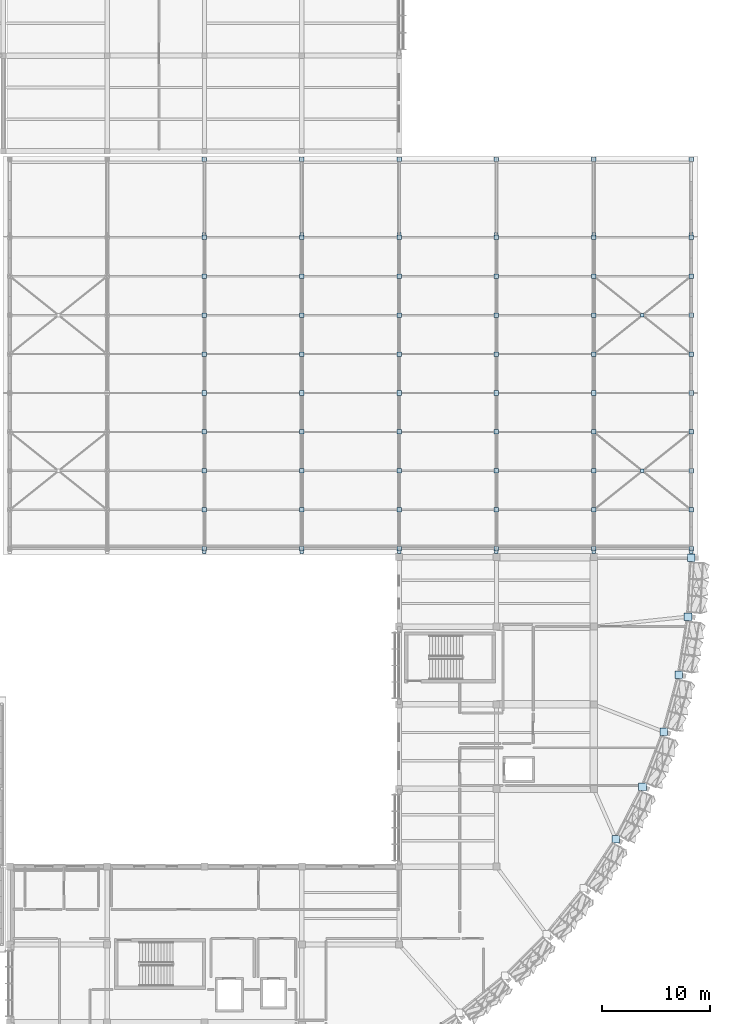
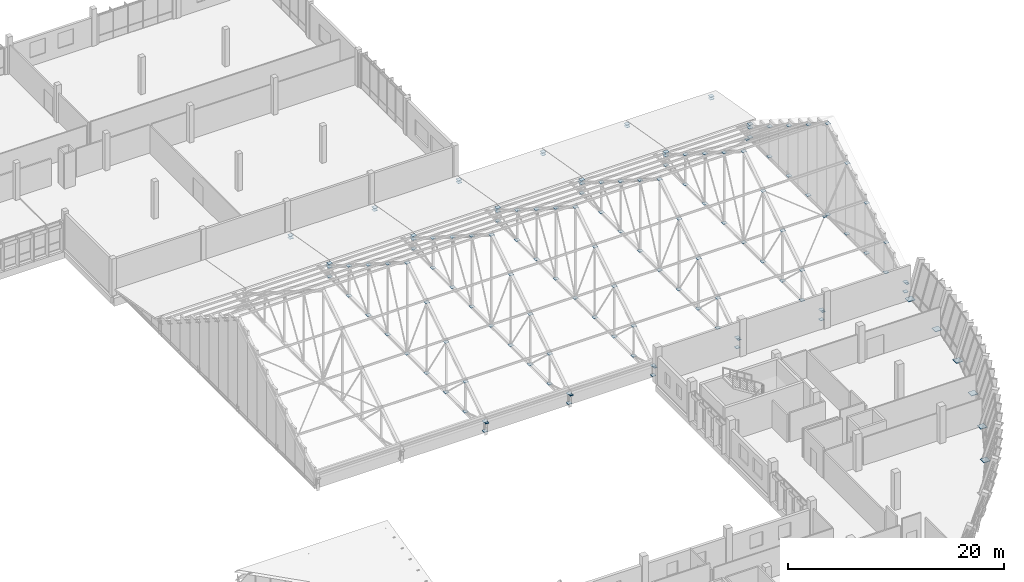
# One storey, part 159 of 182: 146 plates.
"""IFC4 building model written with IfcOpenShell, lengths in metres."""

from ifc_helpers import new_model, si_unit, direction, frame, origin, origin_2d, place, context, subcontext, project, spatial, rectangle, extrude, material, layer, layer_set, type_object, element, save


model = new_model("IFC4")

# Units and contexts
model_context = context("Model", 3, precision=1e-05, world=origin(), true_north=direction((0.0, 1.0)))
body_context = subcontext(model_context, "Body", "Model", "MODEL_VIEW")
ifc_project = project(units=[si_unit("LENGTHUNIT", "METRE"), si_unit("AREAUNIT", "SQUARE_METRE"), si_unit("VOLUMEUNIT", "CUBIC_METRE"), si_unit("PLANEANGLEUNIT", "RADIAN"), si_unit("MASSUNIT", "GRAM", prefix="KILO")], contexts=[model_context])

# Site, building, storey
site_placement = place(None, origin())
site = spatial("IfcSite", under=ifc_project, at=site_placement, CompositionType="ELEMENT")
building_placement = place(site_placement, origin())
building = spatial("IfcBuilding", under=site, at=building_placement, Name="Chiffa Square Polytechnic", CompositionType="ELEMENT")
storey_placement = place(building_placement, frame((0.0, 0.0, 9.60009765625)))
storey = spatial("IfcBuildingStorey", under=building, at=storey_placement, Name="L02", CompositionType="ELEMENT", Elevation=9.60009765625)

# Plates
ifc_material = material(Name="Steel S355", Category="steel")
ifc_layer_1 = layer(ifc_material, 0.028076171875, Name="Steel S355")
ifc_layer_set_1 = layer_set([ifc_layer_1], Name="Steel S355")
plate_type_1 = type_object("IfcPlateType", Name="PLT-GUSSET-28", PredefinedType="USERDEFINED", material=ifc_layer_set_1)
for number, where, z_axis, x_axis, name in (
    (1, (170.699951171875, 65.39990234375, 6.03564453125), (0.0, 0.0, 1.0), (1.0, 0.0, 0.0), "Steel connection gusset plate GP-L02-216"),
    (2, (170.699951171875, 79.800048828125, 6.03564453125), (0.0, 0.0, 1.0), (1.0, 0.0, 0.0), "Steel connection gusset plate GP-L02-217"),
    (3, (130.199951171875, 57.89990234375, 1.43603515625), (0.0, 0.0, 1.0), (1.0, 0.0, 0.0), "Steel connection gusset plate GP-L02-238"),
    (4, (130.199951171875, 87.300048828125, 1.43603515625), (0.0, 0.0, 1.0), (1.0, 0.0, 0.0), "Steel connection gusset plate GP-L02-239"),
    (5, (139.199951171875, 57.89990234375, 1.43603515625), (0.0, 0.0, 1.0), (1.0, 0.0, 0.0), "Steel connection gusset plate GP-L02-240"),
    (6, (139.199951171875, 87.300048828125, 1.43603515625), (0.0, 0.0, 1.0), (1.0, 0.0, 0.0), "Steel connection gusset plate GP-L02-241"),
    (7, (148.199951171875, 57.89990234375, 1.43603515625), (0.0, 0.0, 1.0), (1.0, 0.0, 0.0), "Steel connection gusset plate GP-L02-242"),
    (8, (148.199951171875, 87.300048828125, 1.43603515625), (0.0, 0.0, 1.0), (1.0, 0.0, 0.0), "Steel connection gusset plate GP-L02-243"),
    (9, (157.199951171875, 57.89990234375, 1.43603515625), (0.0, 0.0, 1.0), (1.0, 0.0, 0.0), "Steel connection gusset plate GP-L02-244"),
    (10, (157.199951171875, 87.300048828125, 1.43603515625), (0.0, 0.0, 1.0), (1.0, 0.0, 0.0), "Steel connection gusset plate GP-L02-245"),
    (11, (166.199951171875, 57.89990234375, 1.43603515625), (0.0, 0.0, 1.0), (1.0, 0.0, 0.0), "Steel connection gusset plate GP-L02-246"),
    (12, (166.199951171875, 87.300048828125, 1.43603515625), (0.0, 0.0, 1.0), (1.0, 0.0, 0.0), "Steel connection gusset plate GP-L02-247"),
    (13, (175.199951171875, 57.89990234375, 1.43603515625), (0.0, 0.0, 1.0), (1.0, 0.0, 0.0), "Steel connection gusset plate GP-L02-248"),
    (14, (175.199951171875, 87.300048828125, 1.43603515625), (0.0, 0.0, 1.0), (1.0, 0.0, 0.0), "Steel connection gusset plate GP-L02-249"),
):
    element("IfcPlate", number, at=place(storey_placement, frame(where, z_axis=z_axis, x_axis=x_axis)), inside=storey, type_object=plate_type_1, Name=name, ObjectType="GUSSET PLATE", PredefinedType="USERDEFINED", context=body_context, shape_type="SweptSolid", body=[
        extrude(rectangle(XDim=0.320068359375, YDim=0.320068359375, at=origin_2d()), origin(), (0.0, 0.0, 1.0), 0.028076171875),
    ])
ifc_layer_2 = layer(ifc_material, 0.0380859375, Name="Steel S355")
ifc_layer_set_2 = layer_set([ifc_layer_2], Name="Steel S355")
plate_type_2 = type_object("IfcPlateType", Name="PLT-GUSSET-38", PredefinedType="USERDEFINED", material=ifc_layer_set_2)
for number, where, z_axis, x_axis, name in (
    (15, (130.199951171875, 58.199951171875, 0.330810546875), (0.0, 0.0, 1.0), (1.0, 0.0, 0.0), "Steel connection gusset plate GP-L02-088"),
    (16, (130.199951171875, 58.199951171875, 1.430908203125), (0.0, 0.0, 1.0), (1.0, 0.0, 0.0), "Steel connection gusset plate GP-L02-089"),
    (17, (130.199951171875, 61.800048828125, 0.330810546875), (0.0, 0.0, 1.0), (1.0, 0.0, 0.0), "Steel connection gusset plate GP-L02-090"),
    (18, (130.199951171875, 61.800048828125, 3.73095703125), (0.0, 0.0, 1.0), (1.0, 0.0, 0.0), "Steel connection gusset plate GP-L02-091"),
    (19, (130.199951171875, 65.39990234375, 0.330810546875), (0.0, 0.0, 1.0), (1.0, 0.0, 0.0), "Steel connection gusset plate GP-L02-092"),
    (20, (130.199951171875, 65.39990234375, 6.03076171875), (0.0, 0.0, 1.0), (1.0, 0.0, 0.0), "Steel connection gusset plate GP-L02-093"),
    (21, (130.199951171875, 69.0, 0.330810546875), (0.0, 0.0, 1.0), (1.0, 0.0, 0.0), "Steel connection gusset plate GP-L02-094"),
    (22, (130.199951171875, 69.0, 8.330810546875), (0.0, 0.0, 1.0), (1.0, 0.0, 0.0), "Steel connection gusset plate GP-L02-095"),
    (23, (130.199951171875, 72.60009765625, 0.330810546875), (0.0, 0.0, 1.0), (1.0, 0.0, 0.0), "Steel connection gusset plate GP-L02-096"),
    (24, (130.199951171875, 72.60009765625, 10.630859375), (0.0, 0.0, 1.0), (1.0, 0.0, 0.0), "Steel connection gusset plate GP-L02-097"),
    (25, (130.199951171875, 76.199951171875, 0.330810546875), (0.0, 0.0, 1.0), (1.0, 0.0, 0.0), "Steel connection gusset plate GP-L02-098"),
    (26, (130.199951171875, 76.199951171875, 8.330810546875), (0.0, 0.0, 1.0), (1.0, 0.0, 0.0), "Steel connection gusset plate GP-L02-099"),
    (27, (130.199951171875, 79.800048828125, 0.330810546875), (0.0, 0.0, 1.0), (1.0, 0.0, 0.0), "Steel connection gusset plate GP-L02-100"),
    (28, (130.199951171875, 79.800048828125, 6.03076171875), (0.0, 0.0, 1.0), (1.0, 0.0, 0.0), "Steel connection gusset plate GP-L02-101"),
    (29, (130.199951171875, 83.39990234375, 0.330810546875), (0.0, 0.0, 1.0), (1.0, 0.0, 0.0), "Steel connection gusset plate GP-L02-102"),
    (30, (130.199951171875, 83.39990234375, 3.73095703125), (0.0, 0.0, 1.0), (1.0, 0.0, 0.0), "Steel connection gusset plate GP-L02-103"),
    (31, (130.199951171875, 87.0, 0.330810546875), (0.0, 0.0, 1.0), (1.0, 0.0, 0.0), "Steel connection gusset plate GP-L02-104"),
    (32, (130.199951171875, 87.0, 1.430908203125), (0.0, 0.0, 1.0), (1.0, 0.0, 0.0), "Steel connection gusset plate GP-L02-105"),
    (33, (130.199951171875, 87.0, 1.830810546875), (0.0, 0.0, 1.0), (1.0, 0.0, 0.0), "Steel connection gusset plate GP-L02-106"),
    (34, (130.199951171875, 94.199951171875, 0.330810546875), (0.0, 0.0, 1.0), (1.0, 0.0, 0.0), "Steel connection gusset plate GP-L02-107"),
    (35, (130.199951171875, 94.199951171875, 0.630859375), (0.0, 0.0, 1.0), (1.0, 0.0, 0.0), "Steel connection gusset plate GP-L02-108"),
    (36, (139.199951171875, 58.199951171875, 0.330810546875), (0.0, 0.0, 1.0), (1.0, 0.0, 0.0), "Steel connection gusset plate GP-L02-109"),
    (37, (139.199951171875, 58.199951171875, 1.430908203125), (0.0, 0.0, 1.0), (1.0, 0.0, 0.0), "Steel connection gusset plate GP-L02-110"),
    (38, (139.199951171875, 61.800048828125, 0.330810546875), (0.0, 0.0, 1.0), (1.0, 0.0, 0.0), "Steel connection gusset plate GP-L02-111"),
    (39, (139.199951171875, 61.800048828125, 3.73095703125), (0.0, 0.0, 1.0), (1.0, 0.0, 0.0), "Steel connection gusset plate GP-L02-112"),
    (40, (139.199951171875, 65.39990234375, 0.330810546875), (0.0, 0.0, 1.0), (1.0, 0.0, 0.0), "Steel connection gusset plate GP-L02-113"),
    (41, (139.199951171875, 65.39990234375, 6.03076171875), (0.0, 0.0, 1.0), (1.0, 0.0, 0.0), "Steel connection gusset plate GP-L02-114"),
    (42, (139.199951171875, 69.0, 0.330810546875), (0.0, 0.0, 1.0), (1.0, 0.0, 0.0), "Steel connection gusset plate GP-L02-115"),
    (43, (139.199951171875, 69.0, 8.330810546875), (0.0, 0.0, 1.0), (1.0, 0.0, 0.0), "Steel connection gusset plate GP-L02-116"),
    (44, (139.199951171875, 72.60009765625, 0.330810546875), (0.0, 0.0, 1.0), (1.0, 0.0, 0.0), "Steel connection gusset plate GP-L02-117"),
    (45, (139.199951171875, 72.60009765625, 10.630859375), (0.0, 0.0, 1.0), (1.0, 0.0, 0.0), "Steel connection gusset plate GP-L02-118"),
    (46, (139.199951171875, 76.199951171875, 0.330810546875), (0.0, 0.0, 1.0), (1.0, 0.0, 0.0), "Steel connection gusset plate GP-L02-119"),
    (47, (139.199951171875, 76.199951171875, 8.330810546875), (0.0, 0.0, 1.0), (1.0, 0.0, 0.0), "Steel connection gusset plate GP-L02-120"),
    (48, (139.199951171875, 79.800048828125, 0.330810546875), (0.0, 0.0, 1.0), (1.0, 0.0, 0.0), "Steel connection gusset plate GP-L02-121"),
    (49, (139.199951171875, 79.800048828125, 6.03076171875), (0.0, 0.0, 1.0), (1.0, 0.0, 0.0), "Steel connection gusset plate GP-L02-122"),
    (50, (139.199951171875, 83.39990234375, 0.330810546875), (0.0, 0.0, 1.0), (1.0, 0.0, 0.0), "Steel connection gusset plate GP-L02-123"),
    (51, (139.199951171875, 83.39990234375, 3.73095703125), (0.0, 0.0, 1.0), (1.0, 0.0, 0.0), "Steel connection gusset plate GP-L02-124"),
    (52, (139.199951171875, 87.0, 0.330810546875), (0.0, 0.0, 1.0), (1.0, 0.0, 0.0), "Steel connection gusset plate GP-L02-125"),
    (53, (139.199951171875, 87.0, 1.430908203125), (0.0, 0.0, 1.0), (1.0, 0.0, 0.0), "Steel connection gusset plate GP-L02-126"),
    (54, (139.199951171875, 87.0, 1.830810546875), (0.0, 0.0, 1.0), (1.0, 0.0, 0.0), "Steel connection gusset plate GP-L02-127"),
    (55, (139.199951171875, 94.199951171875, 0.330810546875), (0.0, 0.0, 1.0), (1.0, 0.0, 0.0), "Steel connection gusset plate GP-L02-128"),
    (56, (139.199951171875, 94.199951171875, 0.630859375), (0.0, 0.0, 1.0), (1.0, 0.0, 0.0), "Steel connection gusset plate GP-L02-129"),
    (57, (148.199951171875, 58.199951171875, 0.330810546875), (0.0, 0.0, 1.0), (1.0, 0.0, 0.0), "Steel connection gusset plate GP-L02-130"),
    (58, (148.199951171875, 58.199951171875, 1.430908203125), (0.0, 0.0, 1.0), (1.0, 0.0, 0.0), "Steel connection gusset plate GP-L02-131"),
    (59, (148.199951171875, 61.800048828125, 0.330810546875), (0.0, 0.0, 1.0), (1.0, 0.0, 0.0), "Steel connection gusset plate GP-L02-132"),
    (60, (148.199951171875, 61.800048828125, 3.73095703125), (0.0, 0.0, 1.0), (1.0, 0.0, 0.0), "Steel connection gusset plate GP-L02-133"),
    (61, (148.199951171875, 65.39990234375, 0.330810546875), (0.0, 0.0, 1.0), (1.0, 0.0, 0.0), "Steel connection gusset plate GP-L02-134"),
    (62, (148.199951171875, 65.39990234375, 6.03076171875), (0.0, 0.0, 1.0), (1.0, 0.0, 0.0), "Steel connection gusset plate GP-L02-135"),
    (63, (148.199951171875, 69.0, 0.330810546875), (0.0, 0.0, 1.0), (1.0, 0.0, 0.0), "Steel connection gusset plate GP-L02-136"),
    (64, (148.199951171875, 69.0, 8.330810546875), (0.0, 0.0, 1.0), (1.0, 0.0, 0.0), "Steel connection gusset plate GP-L02-137"),
    (65, (148.199951171875, 72.60009765625, 0.330810546875), (0.0, 0.0, 1.0), (1.0, 0.0, 0.0), "Steel connection gusset plate GP-L02-138"),
    (66, (148.199951171875, 72.60009765625, 10.630859375), (0.0, 0.0, 1.0), (1.0, 0.0, 0.0), "Steel connection gusset plate GP-L02-139"),
    (67, (148.199951171875, 76.199951171875, 0.330810546875), (0.0, 0.0, 1.0), (1.0, 0.0, 0.0), "Steel connection gusset plate GP-L02-140"),
    (68, (148.199951171875, 76.199951171875, 8.330810546875), (0.0, 0.0, 1.0), (1.0, 0.0, 0.0), "Steel connection gusset plate GP-L02-141"),
    (69, (148.199951171875, 79.800048828125, 0.330810546875), (0.0, 0.0, 1.0), (1.0, 0.0, 0.0), "Steel connection gusset plate GP-L02-142"),
    (70, (148.199951171875, 79.800048828125, 6.03076171875), (0.0, 0.0, 1.0), (1.0, 0.0, 0.0), "Steel connection gusset plate GP-L02-143"),
    (71, (148.199951171875, 83.39990234375, 0.330810546875), (0.0, 0.0, 1.0), (1.0, 0.0, 0.0), "Steel connection gusset plate GP-L02-144"),
    (72, (148.199951171875, 83.39990234375, 3.73095703125), (0.0, 0.0, 1.0), (1.0, 0.0, 0.0), "Steel connection gusset plate GP-L02-145"),
    (73, (148.199951171875, 87.0, 0.330810546875), (0.0, 0.0, 1.0), (1.0, 0.0, 0.0), "Steel connection gusset plate GP-L02-146"),
    (74, (148.199951171875, 87.0, 1.430908203125), (0.0, 0.0, 1.0), (1.0, 0.0, 0.0), "Steel connection gusset plate GP-L02-147"),
    (75, (148.199951171875, 87.0, 1.830810546875), (0.0, 0.0, 1.0), (1.0, 0.0, 0.0), "Steel connection gusset plate GP-L02-148"),
    (76, (148.199951171875, 94.199951171875, 0.330810546875), (0.0, 0.0, 1.0), (1.0, 0.0, 0.0), "Steel connection gusset plate GP-L02-149"),
    (77, (148.199951171875, 94.199951171875, 0.630859375), (0.0, 0.0, 1.0), (1.0, 0.0, 0.0), "Steel connection gusset plate GP-L02-150"),
    (78, (157.199951171875, 58.199951171875, 0.330810546875), (0.0, 0.0, 1.0), (1.0, 0.0, 0.0), "Steel connection gusset plate GP-L02-151"),
    (79, (157.199951171875, 58.199951171875, 1.430908203125), (0.0, 0.0, 1.0), (1.0, 0.0, 0.0), "Steel connection gusset plate GP-L02-152"),
    (80, (157.199951171875, 61.800048828125, 0.330810546875), (0.0, 0.0, 1.0), (1.0, 0.0, 0.0), "Steel connection gusset plate GP-L02-153"),
    (81, (157.199951171875, 61.800048828125, 3.73095703125), (0.0, 0.0, 1.0), (1.0, 0.0, 0.0), "Steel connection gusset plate GP-L02-154"),
    (82, (157.199951171875, 65.39990234375, 0.330810546875), (0.0, 0.0, 1.0), (1.0, 0.0, 0.0), "Steel connection gusset plate GP-L02-155"),
    (83, (157.199951171875, 65.39990234375, 6.03076171875), (0.0, 0.0, 1.0), (1.0, 0.0, 0.0), "Steel connection gusset plate GP-L02-156"),
    (84, (157.199951171875, 69.0, 0.330810546875), (0.0, 0.0, 1.0), (1.0, 0.0, 0.0), "Steel connection gusset plate GP-L02-157"),
    (85, (157.199951171875, 69.0, 8.330810546875), (0.0, 0.0, 1.0), (1.0, 0.0, 0.0), "Steel connection gusset plate GP-L02-158"),
    (86, (157.199951171875, 72.60009765625, 0.330810546875), (0.0, 0.0, 1.0), (1.0, 0.0, 0.0), "Steel connection gusset plate GP-L02-159"),
    (87, (157.199951171875, 72.60009765625, 10.630859375), (0.0, 0.0, 1.0), (1.0, 0.0, 0.0), "Steel connection gusset plate GP-L02-160"),
    (88, (157.199951171875, 76.199951171875, 0.330810546875), (0.0, 0.0, 1.0), (1.0, 0.0, 0.0), "Steel connection gusset plate GP-L02-161"),
    (89, (157.199951171875, 76.199951171875, 8.330810546875), (0.0, 0.0, 1.0), (1.0, 0.0, 0.0), "Steel connection gusset plate GP-L02-162"),
    (90, (157.199951171875, 79.800048828125, 0.330810546875), (0.0, 0.0, 1.0), (1.0, 0.0, 0.0), "Steel connection gusset plate GP-L02-163"),
    (91, (157.199951171875, 79.800048828125, 6.03076171875), (0.0, 0.0, 1.0), (1.0, 0.0, 0.0), "Steel connection gusset plate GP-L02-164"),
    (92, (157.199951171875, 83.39990234375, 0.330810546875), (0.0, 0.0, 1.0), (1.0, 0.0, 0.0), "Steel connection gusset plate GP-L02-165"),
    (93, (157.199951171875, 83.39990234375, 3.73095703125), (0.0, 0.0, 1.0), (1.0, 0.0, 0.0), "Steel connection gusset plate GP-L02-166"),
    (94, (157.199951171875, 87.0, 0.330810546875), (0.0, 0.0, 1.0), (1.0, 0.0, 0.0), "Steel connection gusset plate GP-L02-167"),
    (95, (157.199951171875, 87.0, 1.430908203125), (0.0, 0.0, 1.0), (1.0, 0.0, 0.0), "Steel connection gusset plate GP-L02-168"),
    (96, (157.199951171875, 87.0, 1.830810546875), (0.0, 0.0, 1.0), (1.0, 0.0, 0.0), "Steel connection gusset plate GP-L02-169"),
    (97, (157.199951171875, 94.199951171875, 0.330810546875), (0.0, 0.0, 1.0), (1.0, 0.0, 0.0), "Steel connection gusset plate GP-L02-170"),
    (98, (157.199951171875, 94.199951171875, 0.630859375), (0.0, 0.0, 1.0), (1.0, 0.0, 0.0), "Steel connection gusset plate GP-L02-171"),
    (99, (166.199951171875, 58.199951171875, 0.330810546875), (0.0, 0.0, 1.0), (1.0, 0.0, 0.0), "Steel connection gusset plate GP-L02-172"),
    (100, (166.199951171875, 58.199951171875, 1.430908203125), (0.0, 0.0, 1.0), (1.0, 0.0, 0.0), "Steel connection gusset plate GP-L02-173"),
    (101, (166.199951171875, 61.800048828125, 0.330810546875), (0.0, 0.0, 1.0), (1.0, 0.0, 0.0), "Steel connection gusset plate GP-L02-174"),
    (102, (166.199951171875, 61.800048828125, 3.73095703125), (0.0, 0.0, 1.0), (1.0, 0.0, 0.0), "Steel connection gusset plate GP-L02-175"),
    (103, (166.199951171875, 65.39990234375, 0.330810546875), (0.0, 0.0, 1.0), (1.0, 0.0, 0.0), "Steel connection gusset plate GP-L02-176"),
    (104, (166.199951171875, 65.39990234375, 6.03076171875), (0.0, 0.0, 1.0), (1.0, 0.0, 0.0), "Steel connection gusset plate GP-L02-177"),
    (105, (166.199951171875, 69.0, 0.330810546875), (0.0, 0.0, 1.0), (1.0, 0.0, 0.0), "Steel connection gusset plate GP-L02-178"),
    (106, (166.199951171875, 69.0, 8.330810546875), (0.0, 0.0, 1.0), (1.0, 0.0, 0.0), "Steel connection gusset plate GP-L02-179"),
    (107, (166.199951171875, 72.60009765625, 0.330810546875), (0.0, 0.0, 1.0), (1.0, 0.0, 0.0), "Steel connection gusset plate GP-L02-180"),
    (108, (166.199951171875, 72.60009765625, 10.630859375), (0.0, 0.0, 1.0), (1.0, 0.0, 0.0), "Steel connection gusset plate GP-L02-181"),
    (109, (166.199951171875, 76.199951171875, 0.330810546875), (0.0, 0.0, 1.0), (1.0, 0.0, 0.0), "Steel connection gusset plate GP-L02-182"),
    (110, (166.199951171875, 76.199951171875, 8.330810546875), (0.0, 0.0, 1.0), (1.0, 0.0, 0.0), "Steel connection gusset plate GP-L02-183"),
    (111, (166.199951171875, 79.800048828125, 0.330810546875), (0.0, 0.0, 1.0), (1.0, 0.0, 0.0), "Steel connection gusset plate GP-L02-184"),
    (112, (166.199951171875, 79.800048828125, 6.03076171875), (0.0, 0.0, 1.0), (1.0, 0.0, 0.0), "Steel connection gusset plate GP-L02-185"),
    (113, (166.199951171875, 83.39990234375, 0.330810546875), (0.0, 0.0, 1.0), (1.0, 0.0, 0.0), "Steel connection gusset plate GP-L02-186"),
    (114, (166.199951171875, 83.39990234375, 3.73095703125), (0.0, 0.0, 1.0), (1.0, 0.0, 0.0), "Steel connection gusset plate GP-L02-187"),
    (115, (166.199951171875, 87.0, 0.330810546875), (0.0, 0.0, 1.0), (1.0, 0.0, 0.0), "Steel connection gusset plate GP-L02-188"),
    (116, (166.199951171875, 87.0, 1.430908203125), (0.0, 0.0, 1.0), (1.0, 0.0, 0.0), "Steel connection gusset plate GP-L02-189"),
    (117, (166.199951171875, 87.0, 1.830810546875), (0.0, 0.0, 1.0), (1.0, 0.0, 0.0), "Steel connection gusset plate GP-L02-190"),
    (118, (166.199951171875, 94.199951171875, 0.330810546875), (0.0, 0.0, 1.0), (1.0, 0.0, 0.0), "Steel connection gusset plate GP-L02-191"),
    (119, (166.199951171875, 94.199951171875, 0.630859375), (0.0, 0.0, 1.0), (1.0, 0.0, 0.0), "Steel connection gusset plate GP-L02-192"),
    (120, (175.199951171875, 58.199951171875, 0.330810546875), (0.0, 0.0, 1.0), (1.0, 0.0, 0.0), "Steel connection gusset plate GP-L02-193"),
    (121, (175.199951171875, 58.199951171875, 1.430908203125), (0.0, 0.0, 1.0), (1.0, 0.0, 0.0), "Steel connection gusset plate GP-L02-194"),
    (122, (175.199951171875, 61.800048828125, 0.330810546875), (0.0, 0.0, 1.0), (1.0, 0.0, 0.0), "Steel connection gusset plate GP-L02-195"),
    (123, (175.199951171875, 61.800048828125, 3.73095703125), (0.0, 0.0, 1.0), (1.0, 0.0, 0.0), "Steel connection gusset plate GP-L02-196"),
    (124, (175.199951171875, 65.39990234375, 0.330810546875), (0.0, 0.0, 1.0), (1.0, 0.0, 0.0), "Steel connection gusset plate GP-L02-197"),
    (125, (175.199951171875, 65.39990234375, 6.03076171875), (0.0, 0.0, 1.0), (1.0, 0.0, 0.0), "Steel connection gusset plate GP-L02-198"),
    (126, (175.199951171875, 69.0, 0.330810546875), (0.0, 0.0, 1.0), (1.0, 0.0, 0.0), "Steel connection gusset plate GP-L02-199"),
    (127, (175.199951171875, 69.0, 8.330810546875), (0.0, 0.0, 1.0), (1.0, 0.0, 0.0), "Steel connection gusset plate GP-L02-200"),
    (128, (175.199951171875, 72.60009765625, 0.330810546875), (0.0, 0.0, 1.0), (1.0, 0.0, 0.0), "Steel connection gusset plate GP-L02-201"),
    (129, (175.199951171875, 72.60009765625, 10.630859375), (0.0, 0.0, 1.0), (1.0, 0.0, 0.0), "Steel connection gusset plate GP-L02-202"),
    (130, (175.199951171875, 76.199951171875, 0.330810546875), (0.0, 0.0, 1.0), (1.0, 0.0, 0.0), "Steel connection gusset plate GP-L02-203"),
    (131, (175.199951171875, 76.199951171875, 8.330810546875), (0.0, 0.0, 1.0), (1.0, 0.0, 0.0), "Steel connection gusset plate GP-L02-204"),
    (132, (175.199951171875, 79.800048828125, 0.330810546875), (0.0, 0.0, 1.0), (1.0, 0.0, 0.0), "Steel connection gusset plate GP-L02-205"),
    (133, (175.199951171875, 79.800048828125, 6.03076171875), (0.0, 0.0, 1.0), (1.0, 0.0, 0.0), "Steel connection gusset plate GP-L02-206"),
    (134, (175.199951171875, 83.39990234375, 0.330810546875), (0.0, 0.0, 1.0), (1.0, 0.0, 0.0), "Steel connection gusset plate GP-L02-207"),
    (135, (175.199951171875, 83.39990234375, 3.73095703125), (0.0, 0.0, 1.0), (1.0, 0.0, 0.0), "Steel connection gusset plate GP-L02-208"),
    (136, (175.199951171875, 87.0, 0.330810546875), (0.0, 0.0, 1.0), (1.0, 0.0, 0.0), "Steel connection gusset plate GP-L02-209"),
    (137, (175.199951171875, 87.0, 1.430908203125), (0.0, 0.0, 1.0), (1.0, 0.0, 0.0), "Steel connection gusset plate GP-L02-210"),
    (138, (175.199951171875, 87.0, 1.830810546875), (0.0, 0.0, 1.0), (1.0, 0.0, 0.0), "Steel connection gusset plate GP-L02-211"),
    (139, (175.199951171875, 94.199951171875, 0.330810546875), (0.0, 0.0, 1.0), (1.0, 0.0, 0.0), "Steel connection gusset plate GP-L02-212"),
    (140, (175.199951171875, 94.199951171875, 0.630859375), (0.0, 0.0, 1.0), (1.0, 0.0, 0.0), "Steel connection gusset plate GP-L02-213"),
):
    element("IfcPlate", number, at=place(storey_placement, frame(where, z_axis=z_axis, x_axis=x_axis)), inside=storey, type_object=plate_type_2, Name=name, ObjectType="GUSSET PLATE", PredefinedType="USERDEFINED", context=body_context, shape_type="SweptSolid", body=[
        extrude(rectangle(XDim=0.419921875, YDim=0.419921875, at=origin_2d()), origin(), (0.0, 0.0, 1.0), 0.0380859375),
    ])
ifc_layer_3 = layer(ifc_material, 0.050048828125, Name="Steel S355")
ifc_layer_set_3 = layer_set([ifc_layer_3], Name="Steel S355")
plate_type_3 = type_object("IfcPlateType", Name="PLT-GUSSET-50", PredefinedType="USERDEFINED", material=ifc_layer_set_3)
for number, where, z_axis, x_axis, name in (
    (141, (168.23291015625, 31.35009765625, -0.02490234375), (0.0, 0.0, 1.0), (1.0, 0.0, 0.0), "Steel connection gusset plate GP-L02-033"),
    (142, (170.7041015625, 36.199951171875, -0.02490234375), (0.0, 0.0, 1.0), (1.0, 0.0, 0.0), "Steel connection gusset plate GP-L02-035"),
    (143, (172.655029296875, 41.281005859375, -0.02490234375), (0.0, 0.0, 1.0), (1.0, 0.0, 0.0), "Steel connection gusset plate GP-L02-038"),
    (144, (174.06396484375, 46.5390625, -0.02490234375), (0.0, 0.0, 1.0), (1.0, 0.0, 0.0), "Steel connection gusset plate GP-L02-040"),
    (145, (174.9150390625, 51.9150390625, -0.02490234375), (0.0, 0.0, 1.0), (1.0, 0.0, 0.0), "Steel connection gusset plate GP-L02-043"),
    (146, (175.199951171875, 57.35009765625, -0.02490234375), (0.0, 0.0, 1.0), (1.0, 0.0, 0.0), "Steel connection gusset plate GP-L02-045"),
):
    element("IfcPlate", number, at=place(storey_placement, frame(where, z_axis=z_axis, x_axis=x_axis)), inside=storey, type_object=plate_type_3, Name=name, ObjectType="GUSSET PLATE", PredefinedType="USERDEFINED", context=body_context, shape_type="SweptSolid", body=[
        extrude(rectangle(XDim=0.699951171875, YDim=0.699951171875, at=origin_2d()), origin(), (0.0, 0.0, 1.0), 0.050048828125),
    ])

save(model, "model.ifc")
